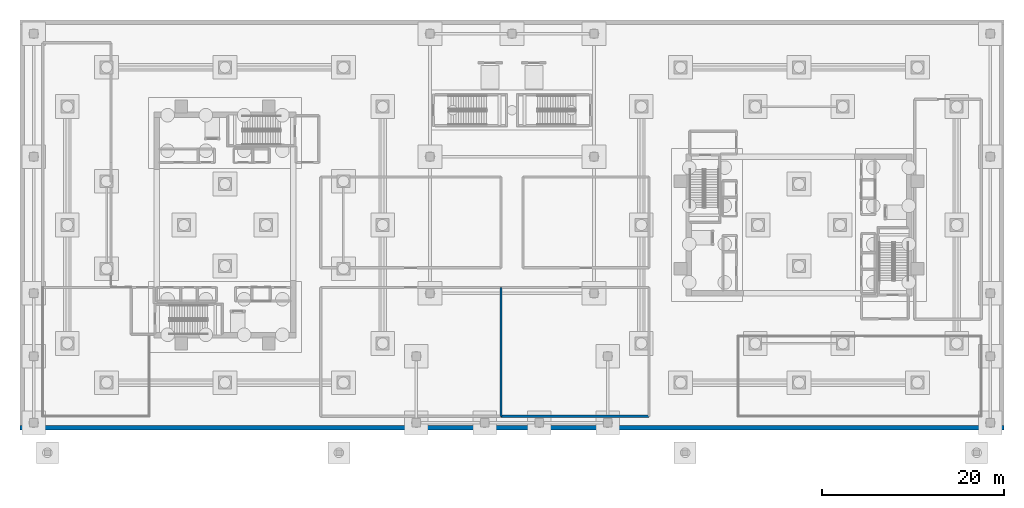
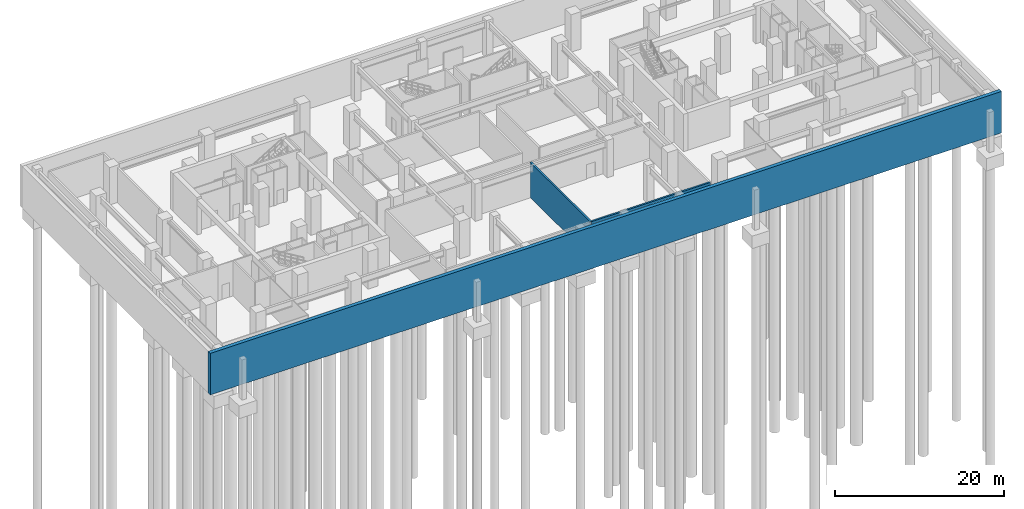
# One storey, part 6 of 14: 3 walls.
"""IFC4 building model written with IfcOpenShell, lengths in metres."""

from ifc_helpers import new_model, si_unit, direction, frame, frame_2d, origin, place, context, subcontext, project, spatial, rectangle, extrude, material, layer, layer_set, type_object, element, save


model = new_model("IFC4")

# Units and contexts
model_context = context("Model", 3, precision=1e-05, world=origin(), true_north=direction((0.0, 1.0)))
body_context = subcontext(model_context, "Body", "Model", "MODEL_VIEW")
ifc_project = project(units=[si_unit("LENGTHUNIT", "METRE"), si_unit("AREAUNIT", "SQUARE_METRE"), si_unit("VOLUMEUNIT", "CUBIC_METRE"), si_unit("PLANEANGLEUNIT", "RADIAN"), si_unit("MASSUNIT", "GRAM", prefix="KILO")], contexts=[model_context])

# Site, building, storey
site_placement = place(None, origin())
site = spatial("IfcSite", under=ifc_project, at=site_placement, CompositionType="ELEMENT")
building_placement = place(site_placement, origin())
building = spatial("IfcBuilding", under=site, at=building_placement, Name="Thornwick Lancets Civic Towers", CompositionType="ELEMENT")
storey_placement = place(building_placement, frame((0.0, 0.0, -5.39990234375)))
storey = spatial("IfcBuildingStorey", under=building, at=storey_placement, Name="B01", CompositionType="ELEMENT", Elevation=-5.39990234375)

# Walls
ifc_material_1 = material(Name="Concrete blockwork C40/50", Category="masonry")
ifc_layer_1 = layer(ifc_material_1, 0.239990234375, Name="Concrete blockwork C40/50")
ifc_layer_set_1 = layer_set([ifc_layer_1], Name="Concrete blockwork C40/50")
wall_type_1 = type_object("IfcWallType", Name="WALL_COMP_240", PredefinedType="STANDARD", material=ifc_layer_set_1)
wall_1_placement = place(storey_placement, frame((55.800048828125, 20.14990234375, 0.0), z_axis=(0.0, 0.0, 1.0), x_axis=(0.0, -1.0, 0.0)))
element("IfcWall", 1, at=wall_1_placement, inside=storey, type_object=wall_type_1, Name="B01 Partition B01-CHILL E4", PredefinedType="STANDARD", context=body_context, shape_type="SweptSolid", body=[
    extrude(rectangle(XDim=14.14990234375, YDim=0.239990234375, at=frame_2d((7.074951171875, 0.0))), origin(), (0.0, 0.0, 1.0), 5.059814453125),
])
wall_2_placement = place(storey_placement, frame((72.050048828125, 6.0, 0.0), z_axis=(0.0, 0.0, 1.0), x_axis=(-1.0, 0.0, 0.0)))
element("IfcWall", 2, at=wall_2_placement, inside=storey, type_object=wall_type_1, Name="B01 Partition B01-HV E1", PredefinedType="STANDARD", context=body_context, shape_type="SweptSolid", body=[
    extrude(rectangle(XDim=16.25, YDim=0.239990234375, at=frame_2d((8.125, 0.0))), origin(), (0.0, 0.0, 1.0), 5.059814453125),
])
ifc_material_2 = material(Name="Concrete C40/50", Category="concrete")
ifc_layer_2 = layer(ifc_material_2, 0.5, Name="Concrete C40/50")
ifc_layer_set_2 = layer_set([ifc_layer_2], Name="Concrete C40/50")
wall_type_2 = type_object("IfcWallType", Name="WALL_RETAIN_500", PredefinedType="USERDEFINED", material=ifc_layer_set_2)
wall_3_placement = place(storey_placement, frame((3.0, 4.75, -0.60009765625), z_axis=(0.0, 0.0, 1.0), x_axis=(1.0, 0.0, 0.0)))
element("IfcWall", 3, at=wall_3_placement, inside=storey, type_object=wall_type_2, Name="B01 Perimeter Retaining Wall S", ObjectType="RETAININGWALL", PredefinedType="USERDEFINED", context=body_context, shape_type="SweptSolid", body=[
    extrude(rectangle(XDim=108.0, YDim=0.5, at=frame_2d((54.0, 0.0))), origin(), (0.0, 0.0, 1.0), 6.0),
])

save(model, "model.ifc")
